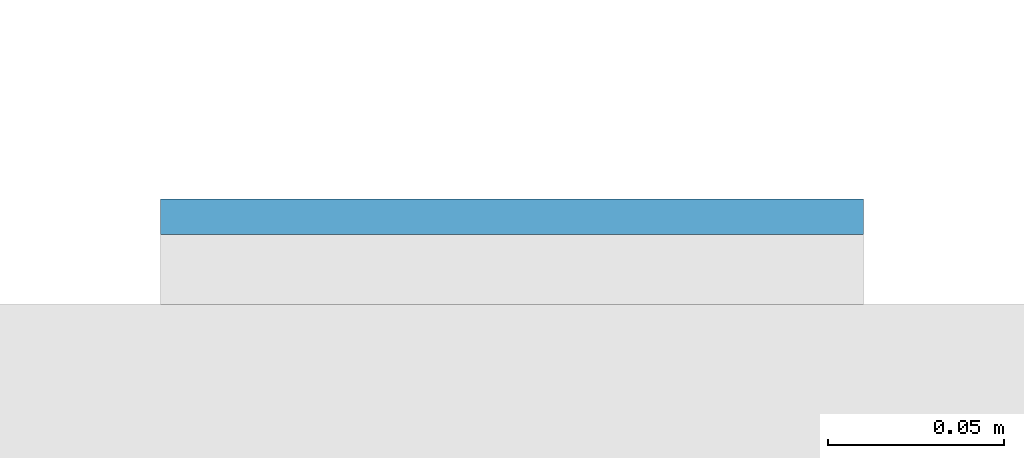
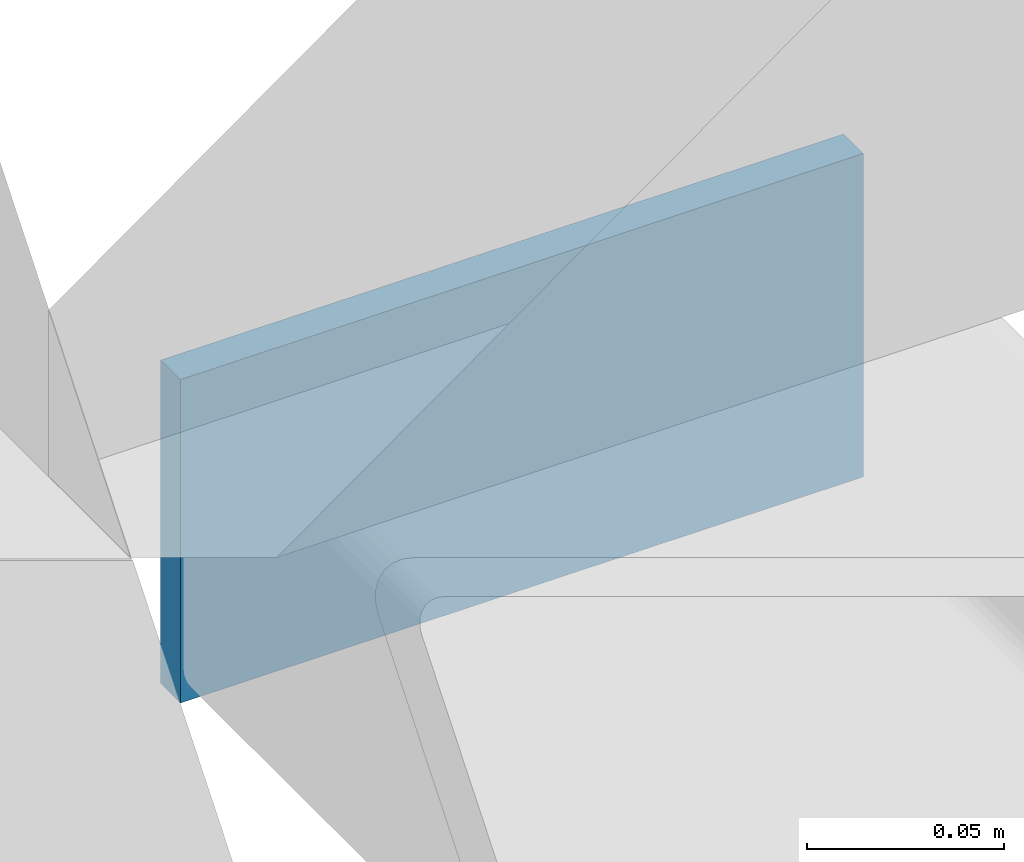
# One storey, part 11 of 20: 1 plate.
"""IFC4 building model written with IfcOpenShell, lengths in metres."""

from ifc_helpers import new_model, si_unit, direction, frame, origin, origin_2d, place, context, subcontext, project, spatial, rectangle, extrude, material, layer, layer_set, type_object, element, save


model = new_model("IFC4")

# Units and contexts
model_context = context("Model", 3, precision=1e-05, world=origin(), true_north=direction((0.0, 1.0)))
body_context = subcontext(model_context, "Body", "Model", "MODEL_VIEW")
ifc_project = project(units=[si_unit("LENGTHUNIT", "METRE"), si_unit("AREAUNIT", "SQUARE_METRE"), si_unit("VOLUMEUNIT", "CUBIC_METRE"), si_unit("PLANEANGLEUNIT", "RADIAN"), si_unit("MASSUNIT", "GRAM", prefix="KILO")], contexts=[model_context])

# Site, building, storey
site_placement = place(None, origin())
site = spatial("IfcSite", under=ifc_project, at=site_placement, CompositionType="ELEMENT")
building_placement = place(site_placement, origin())
building = spatial("IfcBuilding", under=site, at=building_placement, Name="Cleftline Residences", CompositionType="ELEMENT")
storey_placement = place(building_placement, frame((0.0, 0.0, 121.39990234375)))
storey = spatial("IfcBuildingStorey", under=building, at=storey_placement, Name="L31", CompositionType="ELEMENT", Elevation=121.39990234375)

# Plate
ifc_material = material(Name="Steel S355, hot-dip galvanised", Category="steel")
ifc_layer = layer(ifc_material, 0.010009765625)
ifc_layer_set = layer_set([ifc_layer], Name="BAGUETTE CARRIER END PLATE 200X100X10")
plate_type = type_object("IfcPlateType", Name="BAGUETTE CARRIER END PLATE 200X100X10", PredefinedType="USERDEFINED", material=ifc_layer_set)
plate_placement = place(storey_placement, frame((66.85009765625, 44.304931640625, -0.099853515625), z_axis=(0.0, 0.0, 1.0), x_axis=(1.0, 0.0, 0.0)))
element("IfcPlate", 1, at=plate_placement, inside=storey, type_object=plate_type, Name="Baguette carrier end plate", ObjectType="BAGUETTE CARRIER END PLATE", PredefinedType="USERDEFINED", context=body_context, shape_type="SweptSolid", body=[
    extrude(rectangle(XDim=0.199951171875, YDim=0.010009765625, at=origin_2d()), origin(), (0.0, 0.0, 1.0), 0.10009765625),
])

save(model, "model.ifc")
